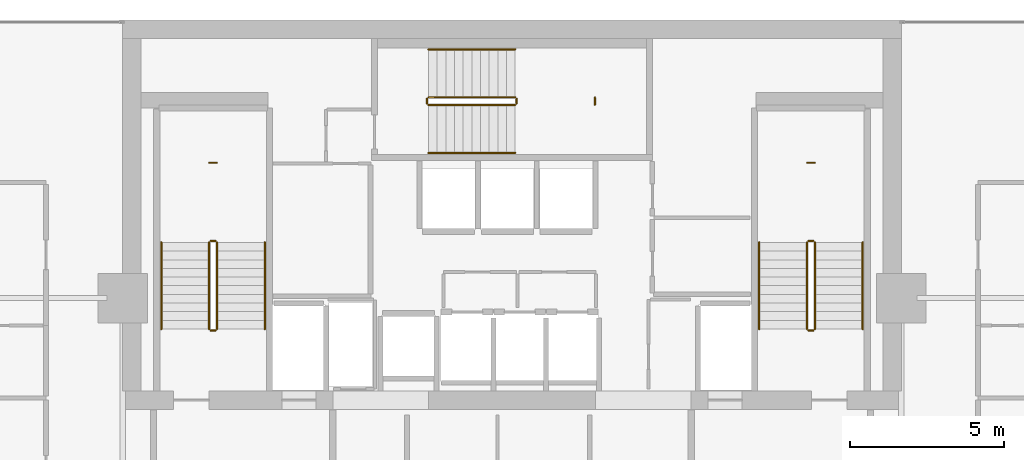
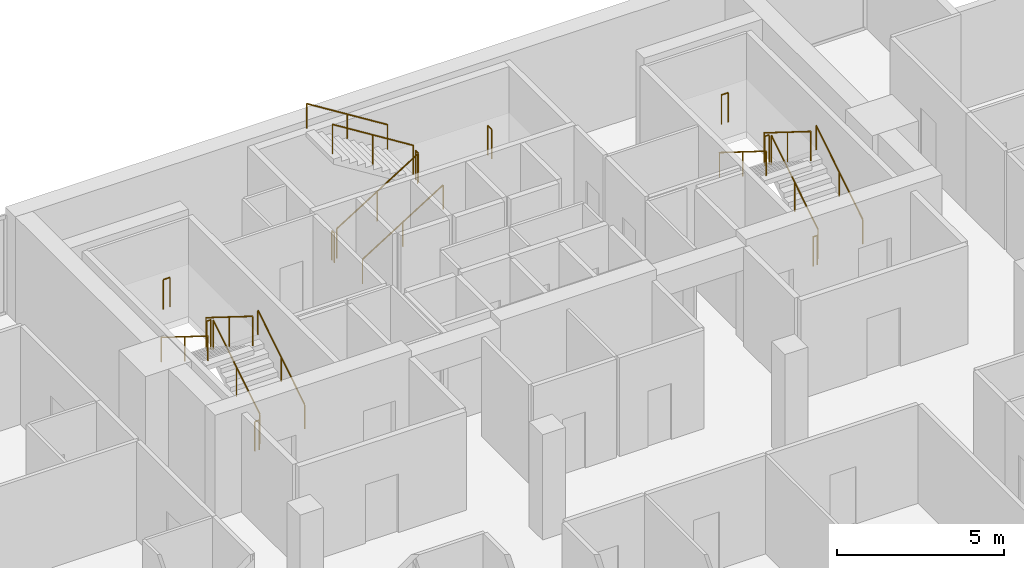
# One storey, part 26 of 26: 21 railings.
"""IFC4 building model written with IfcOpenShell, lengths in metres."""

import ifcopenshell
import ifcopenshell.guid

model = None  # the IFC model being written
_history = None  # IfcOwnerHistory: only IFC2X3 demands one
_inside = {}  # id of a spatial element -> (the spatial element, [elements in it])
_under = {}  # id of a project, library or spatial element -> (it, [spatial elements below it])
_declared = {}  # id of a project -> (the project, [libraries it declares])
_typed = {}  # id of a type object -> (the type object, [elements of that type])
_made_of = {}  # id of a material, layer set ... -> (it, [elements and type objects made of it])


def new_model(schema):
    """Start an empty IFC model of exactly this schema.

    Asked for "IFC4X3", IfcOpenShell would pick the latest addendum, in which some entities
    have other attributes; the version numbers below select the first issue.
    IFC2X3 requires an IfcOwnerHistory on every rooted entity: one is made here for all.
    """
    global model, _history
    if schema == "IFC4X3":
        model = ifcopenshell.file(schema_version=(4, 3, 0, 0))
    else:
        model = ifcopenshell.file(schema=schema)
    _inside.clear()
    _under.clear()
    _declared.clear()
    _typed.clear()
    _made_of.clear()
    _history = None
    if model.schema == "IFC2X3":
        org = make("IfcOrganization", Name="unknown")
        user = make(
            "IfcPersonAndOrganization",
            ThePerson=make("IfcPerson", FamilyName="unknown"),
            TheOrganization=org,
        )
        app = make(
            "IfcApplication",
            ApplicationDeveloper=org,
            Version="unknown",
            ApplicationFullName="unknown",
            ApplicationIdentifier="unknown",
        )
        _history = make(
            "IfcOwnerHistory",
            OwningUser=user,
            OwningApplication=app,
            ChangeAction="ADDED",
            CreationDate=0,
        )
    return model


def make(cls, **values):
    """One entity of the class cls with the attributes given. An attribute that is None is left unset."""
    return model.create_entity(
        cls, **{name: value for name, value in values.items() if value is not None}
    )


def rooted(cls, **values):
    """An entity with a GlobalId (a new one), such as an element, a storey or a relation."""
    return make(cls, GlobalId=ifcopenshell.guid.new(), OwnerHistory=_history, **values)


def si_unit(unit_type, name, prefix=None):
    """IfcSIUnit, for example si_unit("LENGTHUNIT", "METRE", prefix="MILLI")."""
    return make("IfcSIUnit", UnitType=unit_type, Prefix=prefix, Name=name)


def assignment(units):
    """IfcUnitAssignment: the units of a project."""
    return None if units is None else make("IfcUnitAssignment", Units=units)


def point(xyz):
    """IfcCartesianPoint."""
    return None if xyz is None else make("IfcCartesianPoint", Coordinates=xyz)


def direction(xyz):
    """IfcDirection."""
    return None if xyz is None else make("IfcDirection", DirectionRatios=xyz)


def frame(location, z_axis=None, x_axis=None):
    """IfcAxis2Placement3D, a coordinate frame: its origin and axes. An axis left out is left unset."""
    return make(
        "IfcAxis2Placement3D",
        Location=point(location),
        Axis=direction(z_axis),
        RefDirection=direction(x_axis),
    )


def frame_2d(location, x_axis=None):
    """IfcAxis2Placement2D, a coordinate frame in the plane: its origin and x axis."""
    return make(
        "IfcAxis2Placement2D", Location=point(location), RefDirection=direction(x_axis)
    )


def origin():
    """The frame at (0, 0, 0) with its axes left unset."""
    return frame((0.0, 0.0, 0.0))


def origin_2d():
    """The frame at (0, 0) in the plane with its x axis left unset."""
    return frame_2d((0.0, 0.0))


def place(relative_to, where):
    """IfcLocalPlacement: puts the frame where relative to a parent placement (None: the world)."""
    return make(
        "IfcLocalPlacement", PlacementRelTo=relative_to, RelativePlacement=where
    )


def context(
    kind, dimensions, precision=None, world=None, true_north=None, identifier=None
):
    """IfcGeometricRepresentationContext, for example the 3D "Model" context."""
    return make(
        "IfcGeometricRepresentationContext",
        ContextIdentifier=identifier,
        ContextType=kind,
        CoordinateSpaceDimension=dimensions,
        Precision=precision,
        WorldCoordinateSystem=world,
        TrueNorth=true_north,
    )


def subcontext(parent, identifier, kind, view, scale=None):
    """IfcGeometricRepresentationSubContext, for example "Body" below "Model"."""
    return make(
        "IfcGeometricRepresentationSubContext",
        ContextIdentifier=identifier,
        ContextType=kind,
        ParentContext=parent,
        TargetScale=scale,
        TargetView=view,
    )


def project(units=None, contexts=None):
    """IfcProject with its units and contexts."""
    return rooted(
        "IfcProject",
        Name="project",
        RepresentationContexts=contexts,
        UnitsInContext=assignment(units),
    )


def spatial(cls, under=None, at=None, **own):
    """A site, building, storey or space (cls), placed at a placement, below another one or the project."""
    s = rooted(cls, ObjectPlacement=at, **own)
    if under is not None:
        _under.setdefault(under.id(), (under, []))[1].append(s)
    return s


def profile(cls, at=None, kind="AREA", **sizes):
    """A parametric profile (cls). Its sizes go by their IFC names, for example OverallWidth=200.0."""
    return make(cls, ProfileType=kind, Position=at, **sizes)


def circle(**sizes):
    """IfcCircleProfileDef."""
    return profile("IfcCircleProfileDef", **sizes)


def extrude(swept, where, along, depth):
    """IfcExtrudedAreaSolid: the profile swept, set in the frame where, extruded along a direction by depth."""
    return make(
        "IfcExtrudedAreaSolid",
        SweptArea=swept,
        Position=where,
        ExtrudedDirection=direction(along),
        Depth=depth,
    )


def shape(context_of_items, identifier, shape_type, items):
    """IfcShapeRepresentation: the items that make up one representation, for example the "Body"."""
    return make(
        "IfcShapeRepresentation",
        ContextOfItems=context_of_items,
        RepresentationIdentifier=identifier,
        RepresentationType=shape_type,
        Items=items,
    )


def material(Name=None, Category=None):
    """IfcMaterial."""
    return make("IfcMaterial", Name=Name, Category=Category)


def made_of(thing, what):
    """Note that an element or type object is made of a material, layer set ...; save() writes the relation."""
    if what is not None:
        _made_of.setdefault(what.id(), (what, []))[1].append(thing)
    return thing


def type_object(cls, material=None, **own):
    """A type object (cls), such as IfcWallType, which elements share."""
    return made_of(rooted(cls, **own), material)


def element(
    cls,
    number,
    at=None,
    inside=None,
    cuts=None,
    type_object=None,
    material=None,
    context=None,
    identifier="Body",
    shape_type=None,
    held_by="IfcProductDefinitionShape",
    body=None,
    shapes=None,
    **own,
):
    """One element of the class cls, such as IfcWall. Its Tag is "e" and its number.

    at: its placement. inside: the storey or other place that contains it. cuts: it is an
    opening in that element (IfcRelVoidsElement). A single representation is given by context,
    identifier, shape_type and body (its items); several are given by shapes. held_by: the class
    of the entity that holds the representations. save() writes the other relations.
    """
    e = rooted(cls, Tag="e%d" % number, ObjectPlacement=at, **own)
    if body is not None:
        shapes = [shape(context, identifier, shape_type, body)]
    if shapes is not None:
        e.Representation = make(held_by, Representations=shapes)
    if inside is not None:
        _inside.setdefault(inside.id(), (inside, []))[1].append(e)
    if cuts is not None:
        rooted(
            "IfcRelVoidsElement", RelatingBuildingElement=cuts, RelatedOpeningElement=e
        )
    if type_object is not None:
        _typed.setdefault(type_object.id(), (type_object, []))[1].append(e)
    return made_of(e, material)


def aggregate(whole, parts):
    """IfcRelAggregates: a whole, such as a stair, and the parts it consists of."""
    return rooted("IfcRelAggregates", RelatingObject=whole, RelatedObjects=parts)


def save(model, path):
    """Write the relations noted so far, then the file.

    IfcRelAggregates (storeys below a building ...), IfcRelContainedInSpatialStructure (elements
    in a storey), IfcRelDefinesByType, IfcRelAssociatesMaterial and IfcRelDeclares: one each for
    every whole, place, type object, material and project.
    """
    for whole, parts in _under.values():
        aggregate(whole, parts)
    for where, things in _inside.values():
        rooted(
            "IfcRelContainedInSpatialStructure",
            RelatedElements=things,
            RelatingStructure=where,
        )
    for kind, things in _typed.values():
        rooted("IfcRelDefinesByType", RelatedObjects=things, RelatingType=kind)
    for what, things in _made_of.values():
        rooted("IfcRelAssociatesMaterial", RelatedObjects=things, RelatingMaterial=what)
    for by, libraries in _declared.values():
        rooted("IfcRelDeclares", RelatingContext=by, RelatedDefinitions=libraries)
    model.write(path)


model = new_model("IFC4")

# Units and contexts
model_context = context("Model", 3, precision=1e-05, world=origin(), true_north=direction((0.0, 1.0)))
body_context = subcontext(model_context, "Body", "Model", "MODEL_VIEW")
ifc_project = project(units=[si_unit("LENGTHUNIT", "METRE"), si_unit("AREAUNIT", "SQUARE_METRE"), si_unit("VOLUMEUNIT", "CUBIC_METRE"), si_unit("PLANEANGLEUNIT", "RADIAN"), si_unit("MASSUNIT", "GRAM", prefix="KILO")], contexts=[model_context])

# Site, building, storey
site_placement = place(None, origin())
site = spatial("IfcSite", under=ifc_project, at=site_placement, CompositionType="ELEMENT")
building_placement = place(site_placement, origin())
building = spatial("IfcBuilding", under=site, at=building_placement, Name="Maruvema Waterfront Hotel and Observation Tower", CompositionType="ELEMENT")
storey_placement = place(building_placement, frame((0.0, 0.0, 301.0)))
storey = spatial("IfcBuildingStorey", under=building, at=storey_placement, Name="L74", CompositionType="ELEMENT", Elevation=301.0)

# Railings
ifc_material_1 = material(Name="Brushed stainless steel Grade 316", Category="steel")
railing_type_1 = type_object("IfcRailingType", Name="Ramp Continuous Wall Handrail 920 mm", PredefinedType="HANDRAIL", material=ifc_material_1)
railing_1_placement = place(storey_placement, frame((29.800048828125, 44.0, 0.175048828125)))
element("IfcRailing", 1, at=railing_1_placement, inside=storey, type_object=railing_type_1, Name="L74 ST-01 stair handrail 1", PredefinedType="HANDRAIL", context=body_context, shape_type="SweptSolid", body=[
    extrude(circle(Radius=0.02392578125, at=origin_2d()), frame((0.0, 0.0, 0.89599609375), z_axis=(0.0, 0.848002457836, 0.529992293815), x_axis=(-1.0, 0.0, 0.0)), (0.0, 0.0, 1.0), 3.302001953125),
    extrude(circle(Radius=0.02099609375, at=origin_2d()), origin(), (0.0, 0.0, 1.0), 0.871826171875),
    extrude(circle(Radius=0.02099609375, at=origin_2d()), frame((0.0, 1.39990234375, 0.875)), (0.0, 0.0, 1.0), 0.871826171875),
    extrude(circle(Radius=0.02099609375, at=origin_2d()), frame((0.0, 2.800048828125, 1.75)), (0.0, 0.0, 1.0), 0.871826171875),
])
railing_2_placement = place(storey_placement, frame((26.449951171875, 46.800048828125, 2.10009765625)))
element("IfcRailing", 2, at=railing_2_placement, inside=storey, type_object=railing_type_1, Name="L74 ST-01 stair handrail 2", PredefinedType="HANDRAIL", context=body_context, shape_type="SweptSolid", body=[
    extrude(circle(Radius=0.02392578125, at=origin_2d()), frame((0.0, 0.0, 0.89599609375), z_axis=(0.0, -0.848002457836, 0.529992293815), x_axis=(1.0, 0.0, 0.0)), (0.0, 0.0, 1.0), 3.302001953125),
    extrude(circle(Radius=0.02099609375, at=origin_2d()), origin(), (0.0, 0.0, 1.0), 0.871826171875),
    extrude(circle(Radius=0.02099609375, at=origin_2d()), frame((0.0, -1.39990234375, 0.875)), (0.0, 0.0, 1.0), 0.871826171875),
    extrude(circle(Radius=0.02099609375, at=origin_2d()), frame((0.0, -2.800048828125, 1.75)), (0.0, 0.0, 1.0), 0.871826171875),
])
railing_3_placement = place(storey_placement, frame((35.10009765625, 49.699951171875, 0.175048828125)))
element("IfcRailing", 3, at=railing_3_placement, inside=storey, type_object=railing_type_1, Name="L74 ST-02 stair handrail 1", PredefinedType="HANDRAIL", context=body_context, shape_type="SweptSolid", body=[
    extrude(circle(Radius=0.02392578125, at=origin_2d()), frame((0.0, 0.0, 0.89599609375), z_axis=(0.847981687118, 0.0, 0.530025526095), x_axis=(0.0, 1.0, 0.0)), (0.0, 0.0, 1.0), 3.3017578125),
    extrude(circle(Radius=0.02099609375, at=origin_2d()), origin(), (0.0, 0.0, 1.0), 0.871826171875),
    extrude(circle(Radius=0.02099609375, at=origin_2d()), frame((1.39990234375, 0.0, 0.875)), (0.0, 0.0, 1.0), 0.871826171875),
    extrude(circle(Radius=0.02099609375, at=origin_2d()), frame((2.7998046875, 0.0, 1.75)), (0.0, 0.0, 1.0), 0.871826171875),
])
railing_4_placement = place(storey_placement, frame((37.89990234375, 53.050048828125, 2.10009765625)))
element("IfcRailing", 4, at=railing_4_placement, inside=storey, type_object=railing_type_1, Name="L74 ST-02 stair handrail 2", PredefinedType="HANDRAIL", context=body_context, shape_type="SweptSolid", body=[
    extrude(circle(Radius=0.02392578125, at=origin_2d()), frame((0.0, 0.0, 0.89599609375), z_axis=(-0.847981687118, 0.0, 0.530025526095), x_axis=(0.0, -1.0, 0.0)), (0.0, 0.0, 1.0), 3.3017578125),
    extrude(circle(Radius=0.02099609375, at=origin_2d()), origin(), (0.0, 0.0, 1.0), 0.871826171875),
    extrude(circle(Radius=0.02099609375, at=origin_2d()), frame((-1.39990234375, 0.0, 0.875)), (0.0, 0.0, 1.0), 0.871826171875),
    extrude(circle(Radius=0.02099609375, at=origin_2d()), frame((-2.7998046875, 0.0, 1.75)), (0.0, 0.0, 1.0), 0.871826171875),
])
railing_5_placement = place(storey_placement, frame((49.14990234375, 44.0, 0.175048828125)))
element("IfcRailing", 5, at=railing_5_placement, inside=storey, type_object=railing_type_1, Name="L74 ST-03 stair handrail 1", PredefinedType="HANDRAIL", context=body_context, shape_type="SweptSolid", body=[
    extrude(circle(Radius=0.02392578125, at=origin_2d()), frame((0.0, 0.0, 0.89599609375), z_axis=(0.0, 0.848002457836, 0.529992293815), x_axis=(-1.0, 0.0, 0.0)), (0.0, 0.0, 1.0), 3.302001953125),
    extrude(circle(Radius=0.02099609375, at=origin_2d()), origin(), (0.0, 0.0, 1.0), 0.871826171875),
    extrude(circle(Radius=0.02099609375, at=origin_2d()), frame((0.0, 1.39990234375, 0.875)), (0.0, 0.0, 1.0), 0.871826171875),
    extrude(circle(Radius=0.02099609375, at=origin_2d()), frame((0.0, 2.800048828125, 1.75)), (0.0, 0.0, 1.0), 0.871826171875),
])
railing_6_placement = place(storey_placement, frame((45.800048828125, 46.800048828125, 2.10009765625)))
element("IfcRailing", 6, at=railing_6_placement, inside=storey, type_object=railing_type_1, Name="L74 ST-03 stair handrail 2", PredefinedType="HANDRAIL", context=body_context, shape_type="SweptSolid", body=[
    extrude(circle(Radius=0.02392578125, at=origin_2d()), frame((0.0, 0.0, 0.89599609375), z_axis=(0.0, -0.848002457836, 0.529992293815), x_axis=(1.0, 0.0, 0.0)), (0.0, 0.0, 1.0), 3.302001953125),
    extrude(circle(Radius=0.02099609375, at=origin_2d()), origin(), (0.0, 0.0, 1.0), 0.871826171875),
    extrude(circle(Radius=0.02099609375, at=origin_2d()), frame((0.0, -1.39990234375, 0.875)), (0.0, 0.0, 1.0), 0.871826171875),
    extrude(circle(Radius=0.02099609375, at=origin_2d()), frame((0.0, -2.800048828125, 1.75)), (0.0, 0.0, 1.0), 0.871826171875),
])
ifc_material_2 = material(Name="Brushed stainless steel Grade 316", Category="steel")
railing_type_2 = type_object("IfcRailingType", Name="Ramp and Terrace Guard Balustrade 1100 mm", PredefinedType="BALUSTRADE", material=ifc_material_2)
railing_7_placement = place(storey_placement, frame((28.25, 44.0, 0.175048828125)))
element("IfcRailing", 7, at=railing_7_placement, inside=storey, type_object=railing_type_2, Name="L74 ST-01 stair guard 1", PredefinedType="BALUSTRADE", context=body_context, shape_type="SweptSolid", body=[
    extrude(circle(Radius=0.02392578125, at=origin_2d()), frame((0.0, 0.0, 1.076171875), z_axis=(0.0, 0.848002457836, 0.529992293815), x_axis=(-1.0, 0.0, 0.0)), (0.0, 0.0, 1.0), 3.302001953125),
    extrude(circle(Radius=0.02099609375, at=origin_2d()), origin(), (0.0, 0.0, 1.0), 1.052001953125),
    extrude(circle(Radius=0.02099609375, at=origin_2d()), frame((0.0, 1.39990234375, 0.875)), (0.0, 0.0, 1.0), 1.052001953125),
    extrude(circle(Radius=0.02099609375, at=origin_2d()), frame((0.0, 2.800048828125, 1.75)), (0.0, 0.0, 1.0), 1.052001953125),
])
railing_8_placement = place(storey_placement, frame((28.199951171875, 46.85009765625, 1.925048828125)))
element("IfcRailing", 8, at=railing_8_placement, inside=storey, type_object=railing_type_2, Name="L74 ST-01 stair guard 2", PredefinedType="BALUSTRADE", context=body_context, shape_type="SweptSolid", body=[
    extrude(circle(Radius=0.02392578125, at=origin_2d()), frame((0.0, 0.0, 1.076171875), z_axis=(-1.0, 0.0, 0.0), x_axis=(0.0, -1.0, 0.0)), (0.0, 0.0, 1.0), 0.14990234375),
    extrude(circle(Radius=0.02099609375, at=origin_2d()), origin(), (0.0, 0.0, 1.0), 1.052001953125),
    extrude(circle(Radius=0.02099609375, at=origin_2d()), frame((-0.14990234375, 0.0, 0.0)), (0.0, 0.0, 1.0), 1.052001953125),
])
railing_9_placement = place(storey_placement, frame((28.0, 46.800048828125, 2.10009765625)))
element("IfcRailing", 9, at=railing_9_placement, inside=storey, type_object=railing_type_2, Name="L74 ST-01 stair guard 3", PredefinedType="BALUSTRADE", context=body_context, shape_type="SweptSolid", body=[
    extrude(circle(Radius=0.02392578125, at=origin_2d()), frame((0.0, 0.0, 1.076171875), z_axis=(0.0, -0.848002457836, 0.529992293815), x_axis=(1.0, 0.0, 0.0)), (0.0, 0.0, 1.0), 3.302001953125),
    extrude(circle(Radius=0.02099609375, at=origin_2d()), origin(), (0.0, 0.0, 1.0), 1.052001953125),
    extrude(circle(Radius=0.02099609375, at=origin_2d()), frame((0.0, -1.39990234375, 0.875)), (0.0, 0.0, 1.0), 1.052001953125),
    extrude(circle(Radius=0.02099609375, at=origin_2d()), frame((0.0, -2.800048828125, 1.75)), (0.0, 0.0, 1.0), 1.052001953125),
])
railing_10_placement = place(storey_placement, frame((28.199951171875, 43.949951171875, 0.0)))
element("IfcRailing", 10, at=railing_10_placement, inside=storey, type_object=railing_type_2, Name="L74 ST-01 stair guard 4", PredefinedType="BALUSTRADE", context=body_context, shape_type="SweptSolid", body=[
    extrude(circle(Radius=0.02392578125, at=origin_2d()), frame((0.0, 0.0, 1.076171875), z_axis=(-1.0, 0.0, 0.0), x_axis=(0.0, -1.0, 0.0)), (0.0, 0.0, 1.0), 0.14990234375),
    extrude(circle(Radius=0.02099609375, at=origin_2d()), origin(), (0.0, 0.0, 1.0), 1.052001953125),
    extrude(circle(Radius=0.02099609375, at=origin_2d()), frame((-0.14990234375, 0.0, 0.0)), (0.0, 0.0, 1.0), 1.052001953125),
])
railing_11_placement = place(storey_placement, frame((28.239990234375, 49.3798828125, 1.925048828125)))
element("IfcRailing", 11, at=railing_11_placement, inside=storey, type_object=railing_type_2, Name="L74 ST-01 Half-Landing Slot Guard", PredefinedType="BALUSTRADE", context=body_context, shape_type="SweptSolid", body=[
    extrude(circle(Radius=0.02392578125, at=origin_2d()), frame((0.0, 0.0, 1.076171875), z_axis=(-1.0, 0.0, 0.0), x_axis=(0.0, -1.0, 0.0)), (0.0, 0.0, 1.0), 0.22998046875),
    extrude(circle(Radius=0.02099609375, at=origin_2d()), origin(), (0.0, 0.0, 1.0), 1.052001953125),
    extrude(circle(Radius=0.02099609375, at=origin_2d()), frame((-0.22998046875, 0.0, 0.0)), (0.0, 0.0, 1.0), 1.052001953125),
])
railing_12_placement = place(storey_placement, frame((35.10009765625, 51.25, 0.175048828125)))
element("IfcRailing", 12, at=railing_12_placement, inside=storey, type_object=railing_type_2, Name="L74 ST-02 stair guard 1", PredefinedType="BALUSTRADE", context=body_context, shape_type="SweptSolid", body=[
    extrude(circle(Radius=0.02392578125, at=origin_2d()), frame((0.0, 0.0, 1.076171875), z_axis=(0.847981687118, 0.0, 0.530025526095), x_axis=(0.0, 1.0, 0.0)), (0.0, 0.0, 1.0), 3.3017578125),
    extrude(circle(Radius=0.02099609375, at=origin_2d()), origin(), (0.0, 0.0, 1.0), 1.052001953125),
    extrude(circle(Radius=0.02099609375, at=origin_2d()), frame((1.39990234375, 0.0, 0.875)), (0.0, 0.0, 1.0), 1.052001953125),
    extrude(circle(Radius=0.02099609375, at=origin_2d()), frame((2.7998046875, 0.0, 1.75)), (0.0, 0.0, 1.0), 1.052001953125),
])
railing_13_placement = place(storey_placement, frame((37.949951171875, 51.300048828125, 1.925048828125)))
element("IfcRailing", 13, at=railing_13_placement, inside=storey, type_object=railing_type_2, Name="L74 ST-02 stair guard 2", PredefinedType="BALUSTRADE", context=body_context, shape_type="SweptSolid", body=[
    extrude(circle(Radius=0.02392578125, at=origin_2d()), frame((0.0, 0.0, 1.076171875), z_axis=(0.0, 1.0, 0.0), x_axis=(-1.0, 0.0, 0.0)), (0.0, 0.0, 1.0), 0.14990234375),
    extrude(circle(Radius=0.02099609375, at=origin_2d()), origin(), (0.0, 0.0, 1.0), 1.052001953125),
    extrude(circle(Radius=0.02099609375, at=origin_2d()), frame((0.0, 0.14990234375, 0.0)), (0.0, 0.0, 1.0), 1.052001953125),
])
railing_14_placement = place(storey_placement, frame((37.89990234375, 51.5, 2.10009765625)))
element("IfcRailing", 14, at=railing_14_placement, inside=storey, type_object=railing_type_2, Name="L74 ST-02 stair guard 3", PredefinedType="BALUSTRADE", context=body_context, shape_type="SweptSolid", body=[
    extrude(circle(Radius=0.02392578125, at=origin_2d()), frame((0.0, 0.0, 1.076171875), z_axis=(-0.847981687118, 0.0, 0.530025526095), x_axis=(0.0, -1.0, 0.0)), (0.0, 0.0, 1.0), 3.3017578125),
    extrude(circle(Radius=0.02099609375, at=origin_2d()), origin(), (0.0, 0.0, 1.0), 1.052001953125),
    extrude(circle(Radius=0.02099609375, at=origin_2d()), frame((-1.39990234375, 0.0, 0.875)), (0.0, 0.0, 1.0), 1.052001953125),
    extrude(circle(Radius=0.02099609375, at=origin_2d()), frame((-2.7998046875, 0.0, 1.75)), (0.0, 0.0, 1.0), 1.052001953125),
])
railing_15_placement = place(storey_placement, frame((35.050048828125, 51.300048828125, 0.0)))
element("IfcRailing", 15, at=railing_15_placement, inside=storey, type_object=railing_type_2, Name="L74 ST-02 stair guard 4", PredefinedType="BALUSTRADE", context=body_context, shape_type="SweptSolid", body=[
    extrude(circle(Radius=0.02392578125, at=origin_2d()), frame((0.0, 0.0, 1.076171875), z_axis=(0.0, 1.0, 0.0), x_axis=(-1.0, 0.0, 0.0)), (0.0, 0.0, 1.0), 0.14990234375),
    extrude(circle(Radius=0.02099609375, at=origin_2d()), origin(), (0.0, 0.0, 1.0), 1.052001953125),
    extrude(circle(Radius=0.02099609375, at=origin_2d()), frame((0.0, 0.14990234375, 0.0)), (0.0, 0.0, 1.0), 1.052001953125),
])
railing_16_placement = place(storey_placement, frame((40.47998046875, 51.260009765625, 1.925048828125)))
element("IfcRailing", 16, at=railing_16_placement, inside=storey, type_object=railing_type_2, Name="L74 ST-02 Half-Landing Slot Guard", PredefinedType="BALUSTRADE", context=body_context, shape_type="SweptSolid", body=[
    extrude(circle(Radius=0.02392578125, at=origin_2d()), frame((0.0, 0.0, 1.076171875), z_axis=(0.0, 1.0, 0.0), x_axis=(-1.0, 0.0, 0.0)), (0.0, 0.0, 1.0), 0.22998046875),
    extrude(circle(Radius=0.02099609375, at=origin_2d()), origin(), (0.0, 0.0, 1.0), 1.052001953125),
    extrude(circle(Radius=0.02099609375, at=origin_2d()), frame((0.0, 0.22998046875, 0.0)), (0.0, 0.0, 1.0), 1.052001953125),
])
railing_17_placement = place(storey_placement, frame((47.60009765625, 44.0, 0.175048828125)))
element("IfcRailing", 17, at=railing_17_placement, inside=storey, type_object=railing_type_2, Name="L74 ST-03 stair guard 1", PredefinedType="BALUSTRADE", context=body_context, shape_type="SweptSolid", body=[
    extrude(circle(Radius=0.02392578125, at=origin_2d()), frame((0.0, 0.0, 1.076171875), z_axis=(0.0, 0.848002457836, 0.529992293815), x_axis=(-1.0, 0.0, 0.0)), (0.0, 0.0, 1.0), 3.302001953125),
    extrude(circle(Radius=0.02099609375, at=origin_2d()), origin(), (0.0, 0.0, 1.0), 1.052001953125),
    extrude(circle(Radius=0.02099609375, at=origin_2d()), frame((0.0, 1.39990234375, 0.875)), (0.0, 0.0, 1.0), 1.052001953125),
    extrude(circle(Radius=0.02099609375, at=origin_2d()), frame((0.0, 2.800048828125, 1.75)), (0.0, 0.0, 1.0), 1.052001953125),
])
railing_18_placement = place(storey_placement, frame((47.550048828125, 46.85009765625, 1.925048828125)))
element("IfcRailing", 18, at=railing_18_placement, inside=storey, type_object=railing_type_2, Name="L74 ST-03 stair guard 2", PredefinedType="BALUSTRADE", context=body_context, shape_type="SweptSolid", body=[
    extrude(circle(Radius=0.02392578125, at=origin_2d()), frame((0.0, 0.0, 1.076171875), z_axis=(-1.0, 0.0, 0.0), x_axis=(0.0, -1.0, 0.0)), (0.0, 0.0, 1.0), 0.150146484375),
    extrude(circle(Radius=0.02099609375, at=origin_2d()), origin(), (0.0, 0.0, 1.0), 1.052001953125),
    extrude(circle(Radius=0.02099609375, at=origin_2d()), frame((-0.150146484375, 0.0, 0.0)), (0.0, 0.0, 1.0), 1.052001953125),
])
railing_19_placement = place(storey_placement, frame((47.35009765625, 46.800048828125, 2.10009765625)))
element("IfcRailing", 19, at=railing_19_placement, inside=storey, type_object=railing_type_2, Name="L74 ST-03 stair guard 3", PredefinedType="BALUSTRADE", context=body_context, shape_type="SweptSolid", body=[
    extrude(circle(Radius=0.02392578125, at=origin_2d()), frame((0.0, 0.0, 1.076171875), z_axis=(0.0, -0.848002457836, 0.529992293815), x_axis=(1.0, 0.0, 0.0)), (0.0, 0.0, 1.0), 3.302001953125),
    extrude(circle(Radius=0.02099609375, at=origin_2d()), origin(), (0.0, 0.0, 1.0), 1.052001953125),
    extrude(circle(Radius=0.02099609375, at=origin_2d()), frame((0.0, -1.39990234375, 0.875)), (0.0, 0.0, 1.0), 1.052001953125),
    extrude(circle(Radius=0.02099609375, at=origin_2d()), frame((0.0, -2.800048828125, 1.75)), (0.0, 0.0, 1.0), 1.052001953125),
])
railing_20_placement = place(storey_placement, frame((47.550048828125, 43.949951171875, 0.0)))
element("IfcRailing", 20, at=railing_20_placement, inside=storey, type_object=railing_type_2, Name="L74 ST-03 stair guard 4", PredefinedType="BALUSTRADE", context=body_context, shape_type="SweptSolid", body=[
    extrude(circle(Radius=0.02392578125, at=origin_2d()), frame((0.0, 0.0, 1.076171875), z_axis=(-1.0, 0.0, 0.0), x_axis=(0.0, -1.0, 0.0)), (0.0, 0.0, 1.0), 0.150146484375),
    extrude(circle(Radius=0.02099609375, at=origin_2d()), origin(), (0.0, 0.0, 1.0), 1.052001953125),
    extrude(circle(Radius=0.02099609375, at=origin_2d()), frame((-0.150146484375, 0.0, 0.0)), (0.0, 0.0, 1.0), 1.052001953125),
])
railing_21_placement = place(storey_placement, frame((47.590087890625, 49.3798828125, 1.925048828125)))
element("IfcRailing", 21, at=railing_21_placement, inside=storey, type_object=railing_type_2, Name="L74 ST-03 Half-Landing Slot Guard", PredefinedType="BALUSTRADE", context=body_context, shape_type="SweptSolid", body=[
    extrude(circle(Radius=0.02392578125, at=origin_2d()), frame((0.0, 0.0, 1.076171875), z_axis=(-1.0, 0.0, 0.0), x_axis=(0.0, -1.0, 0.0)), (0.0, 0.0, 1.0), 0.22998046875),
    extrude(circle(Radius=0.02099609375, at=origin_2d()), origin(), (0.0, 0.0, 1.0), 1.052001953125),
    extrude(circle(Radius=0.02099609375, at=origin_2d()), frame((-0.22998046875, 0.0, 0.0)), (0.0, 0.0, 1.0), 1.052001953125),
])

save(model, "model.ifc")
